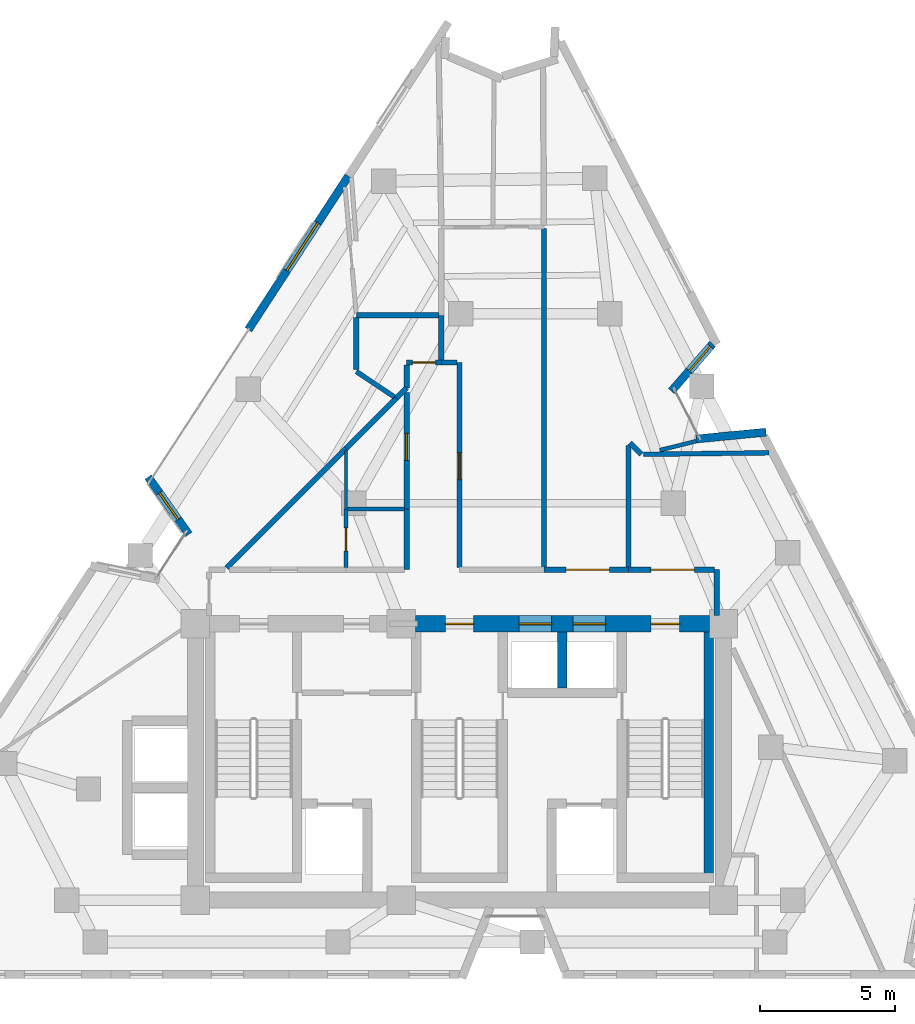
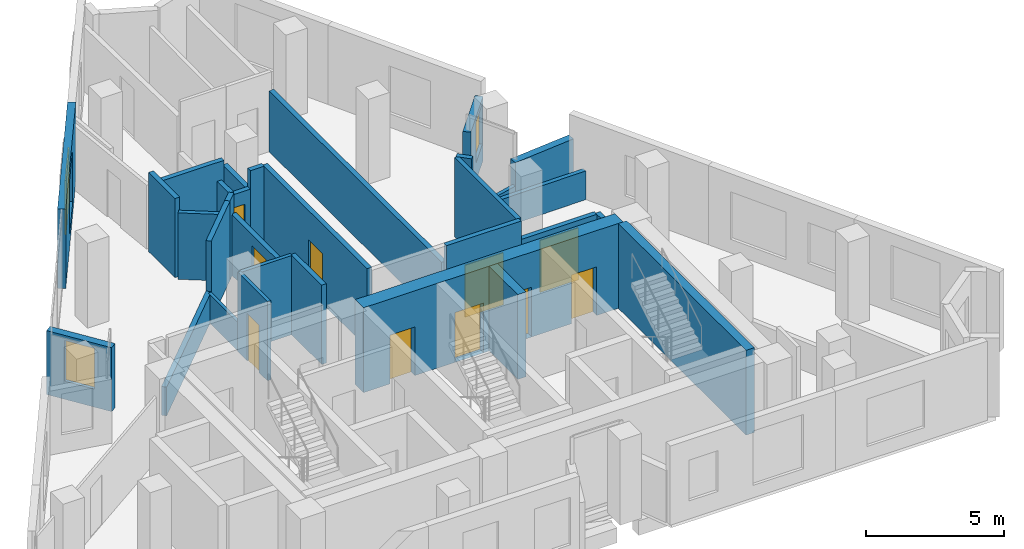
# One storey, part 6 of 9: 31 walls, 10 doors, 3 windows, 13 openings.
"""IFC4 building model written with IfcOpenShell, lengths in metres."""

from ifc_helpers import new_model, si_unit, direction, frame, frame_2d, origin, place, context, subcontext, project, spatial, rectangle, extrude, material, layer, layer_set, type_object, element, fill, save


model = new_model("IFC4")

# Units and contexts
model_context = context("Model", 3, precision=1e-05, world=origin(), true_north=direction((0.0, 1.0)))
body_context = subcontext(model_context, "Body", "Model", "MODEL_VIEW")
ifc_project = project(units=[si_unit("LENGTHUNIT", "METRE"), si_unit("AREAUNIT", "SQUARE_METRE"), si_unit("VOLUMEUNIT", "CUBIC_METRE"), si_unit("PLANEANGLEUNIT", "RADIAN"), si_unit("MASSUNIT", "GRAM", prefix="KILO")], contexts=[model_context])

# Site, building, storey
site_placement = place(None, origin())
site = spatial("IfcSite", under=ifc_project, at=site_placement, CompositionType="ELEMENT")
building_placement = place(site_placement, origin())
building = spatial("IfcBuilding", under=site, at=building_placement, Name="Almagre Mirador Tower", CompositionType="ELEMENT")
storey_placement = place(building_placement, frame((0.0, 0.0, 225.75)))
storey = spatial("IfcBuildingStorey", under=building, at=storey_placement, Name="L58", CompositionType="ELEMENT", Elevation=225.75)

# Wall, opening, window
ifc_material_1 = material(Name="Precast concrete C50/60", Category="concrete")
ifc_layer_1 = layer(ifc_material_1, 0.300048828125)
ifc_layer_set_1 = layer_set([ifc_layer_1], Name="Precast concrete C50/60")
wall_type_1 = type_object("IfcWallType", Name="WAL-EXT-300", PredefinedType="SOLIDWALL", material=ifc_layer_set_1)
wall_1_placement = place(storey_placement, frame((27.3017578125, 18.052490234375, 0.0), z_axis=(0.0, 0.0, 1.0), x_axis=(-0.576912262752, 0.816806122092, 0.0)))
wall_1 = element("IfcWall", 1, at=wall_1_placement, inside=storey, type_object=wall_type_1, Name="L58 expressed almagre precast frame wall 02", PredefinedType="SOLIDWALL", context=body_context, shape_type="SweptSolid", body=[
    extrude(rectangle(XDim=2.59423828125, YDim=0.300048828125, at=frame_2d((1.297119140625, 0.0))), origin(), (0.0, 0.0, 1.0), 2.824951171875),
])
opening_1_placement = place(wall_1_placement, frame((0.675048828125, 0.0, 0.800048828125)))
opening_1 = element("IfcOpeningElement", 2, at=opening_1_placement, cuts=wall_1, Name="Opening WN-04", PredefinedType="OPENING", context=body_context, shape_type="SweptSolid", body=[
    extrude(rectangle(XDim=1.199951171875, YDim=1.800048828125, at=frame_2d((0.60009765625, 0.89990234375))), frame((0.0, 0.159902, 0.0), z_axis=(0.0, -1.0, 0.0), x_axis=(1.0, 0.0, 0.0)), (0.0, 0.0, 1.0), 0.320049),
])
ifc_material_2 = material(Name="Dark solar-control laminated hurricane glass", Category="glass")
window_type_1 = type_object("IfcWindowType", Name="WIN-1200X1800", PartitioningType="SINGLE_PANEL", PredefinedType="WINDOW", material=ifc_material_2)
window_1_placement = place(opening_1_placement, origin())
window_1 = element("IfcWindow", 3, at=window_1_placement, inside=storey, type_object=window_type_1, Name="L58 recessed hurricane window L58-RST-F", OverallHeight=1.800048828125, OverallWidth=1.199951171875, PartitioningType="SINGLE_PANEL", PredefinedType="WINDOW", context=body_context, shape_type="SweptSolid", body=[
    extrude(rectangle(XDim=1.199951171875, YDim=1.800048828125, at=frame_2d((0.60009765625, 0.89990234375))), frame((0.0, 0.030029296875, 0.0), z_axis=(0.0, -1.0, 0.0), x_axis=(1.0, 0.0, 0.0)), (0.0, 0.0, 1.0), 0.06005859375),
])
fill(opening_1, window_1)

wall_2_placement = place(storey_placement, frame((29.50439453125, 25.614990234375, 0.0), z_axis=(0.0, 0.0, 1.0), x_axis=(0.545640788954, 0.838019170085, 0.0)))
wall_2 = element("IfcWall", 4, at=wall_2_placement, inside=storey, type_object=wall_type_1, Name="L58 expressed almagre precast frame wall 03", PredefinedType="SOLIDWALL", context=body_context, shape_type="SweptSolid", body=[
    extrude(rectangle(XDim=6.77197265625, YDim=0.300048828125, at=frame_2d((3.385986328125, 0.0))), origin(), (0.0, 0.0, 1.0), 3.5),
])
opening_2_placement = place(wall_2_placement, frame((2.60009765625, 0.0, 0.550048828125)))
opening_2 = element("IfcOpeningElement", 5, at=opening_2_placement, cuts=wall_2, Name="Opening WN-05", PredefinedType="OPENING", context=body_context, shape_type="SweptSolid", body=[
    extrude(rectangle(XDim=2.10009765625, YDim=2.39990234375, at=frame_2d((1.050048828125, 1.199951171875))), frame((0.0, 0.159902, 0.0), z_axis=(0.0, -1.0, 0.0), x_axis=(1.0, 0.0, 0.0)), (0.0, 0.0, 1.0), 0.320049),
])
ifc_material_3 = material(Name="Dark solar-control laminated hurricane glass", Category="glass")
window_type_2 = type_object("IfcWindowType", Name="WIN-2100X2400", PartitioningType="DOUBLE_PANEL_VERTICAL", PredefinedType="WINDOW", material=ifc_material_3)
window_2_placement = place(opening_2_placement, origin())
window_2 = element("IfcWindow", 6, at=window_2_placement, inside=storey, type_object=window_type_2, Name="L58 recessed hurricane window L58-UL-BT", OverallHeight=2.39990234375, OverallWidth=2.10009765625, PartitioningType="SINGLE_PANEL", PredefinedType="WINDOW", context=body_context, shape_type="SweptSolid", body=[
    extrude(rectangle(XDim=2.10009765625, YDim=2.39990234375, at=frame_2d((1.050048828125, 1.199951171875))), frame((0.0, 0.030029296875, 0.0), z_axis=(0.0, -1.0, 0.0), x_axis=(1.0, 0.0, 0.0)), (0.0, 0.0, 1.0), 0.06005859375),
])
fill(opening_2, window_2)

wall_3_placement = place(storey_placement, frame((46.647216796875, 25.08642578125, 0.0), z_axis=(0.0, 0.0, 1.0), x_axis=(-0.656860073981, -0.754012495394, 0.0)))
wall_3 = element("IfcWall", 7, at=wall_3_placement, inside=storey, type_object=wall_type_1, Name="L58 expressed almagre precast frame wall 11", PredefinedType="SOLIDWALL", context=body_context, shape_type="SweptSolid", body=[
    extrude(rectangle(XDim=2.314453125, YDim=0.300048828125, at=frame_2d((1.1572265625, 0.0))), origin(), (0.0, 0.0, 1.0), 2.824951171875),
])
opening_3_placement = place(wall_3_placement, frame((0.1201171875, 0.0, 0.800048828125)))
opening_3 = element("IfcOpeningElement", 8, at=opening_3_placement, cuts=wall_3, Name="Opening WN-04", PredefinedType="OPENING", context=body_context, shape_type="SweptSolid", body=[
    extrude(rectangle(XDim=1.199951171875, YDim=1.800048828125, at=frame_2d((0.60009765625, 0.89990234375))), frame((0.0, 0.159902, 0.0), z_axis=(0.0, -1.0, 0.0), x_axis=(1.0, 0.0, 0.0)), (0.0, 0.0, 1.0), 0.320049),
])
window_3_placement = place(opening_3_placement, origin())
window_3 = element("IfcWindow", 9, at=window_3_placement, inside=storey, type_object=window_type_1, Name="L58 recessed hurricane window L58-UK-ST", OverallHeight=1.800048828125, OverallWidth=1.199951171875, PartitioningType="SINGLE_PANEL", PredefinedType="WINDOW", context=body_context, shape_type="SweptSolid", body=[
    extrude(rectangle(XDim=1.199951171875, YDim=1.800048828125, at=frame_2d((0.60009765625, 0.89990234375))), frame((0.0, 0.030029296875, 0.0), z_axis=(0.0, -1.0, 0.0), x_axis=(1.0, 0.0, 0.0)), (0.0, 0.0, 1.0), 0.06005859375),
])
fill(opening_3, window_3)

# Walls
wall_4_placement = place(storey_placement, frame((46.03759765625, 21.575439453125, 0.0), z_axis=(0.0, 0.0, 1.0), x_axis=(0.995262869225, 0.097220476965, 0.0)))
element("IfcWall", 10, at=wall_4_placement, inside=storey, type_object=wall_type_1, Name="L58 expressed almagre precast frame wall 12", PredefinedType="SOLIDWALL", context=body_context, shape_type="SweptSolid", body=[
    extrude(rectangle(XDim=2.593994140625, YDim=0.300048828125, at=frame_2d((1.296875, 0.0))), origin(), (0.0, 0.0, 1.0), 2.300048828125),
])
ifc_material_4 = material(Name="Gypsum acoustic stud partition", Category="other")
ifc_layer_2 = layer(ifc_material_4, 0.125)
ifc_layer_set_2 = layer_set([ifc_layer_2], Name="Gypsum acoustic stud partition")
wall_type_2 = type_object("IfcWallType", Name="WAL-PRT-125-UTL", PredefinedType="PARTITIONING", material=ifc_layer_set_2)
wall_5_placement = place(storey_placement, frame((33.110107421875, 18.989990234375, 0.0), z_axis=(0.0, 0.0, 1.0), x_axis=(0.0, 1.0, 0.0)))
element("IfcWall", 11, at=wall_5_placement, inside=storey, type_object=wall_type_2, Name="L58 interior partition 042", PredefinedType="PARTITIONING", context=body_context, shape_type="SweptSolid", body=[
    extrude(rectangle(XDim=2.14501953125, YDim=0.125, at=frame_2d((1.072509765625, 0.0))), origin(), (0.0, 0.0, 1.0), 1.27001953125),
])

# Wall, opening, door
ifc_material_5 = material(Name="Gypsum acoustic stud partition", Category="other")
ifc_layer_3 = layer(ifc_material_5, 0.14990234375)
ifc_layer_set_3 = layer_set([ifc_layer_3], Name="Gypsum acoustic stud partition")
wall_type_3 = type_object("IfcWallType", Name="WAL-PRT-150-STD", PredefinedType="PARTITIONING", material=ifc_layer_set_3)
wall_6_placement = place(storey_placement, frame((33.110107421875, 16.8349609375, 0.0), z_axis=(0.0, 0.0, 1.0), x_axis=(0.0, 1.0, 0.0)))
wall_6 = element("IfcWall", 12, at=wall_6_placement, inside=storey, type_object=wall_type_3, Name="L58 interior partition 041", PredefinedType="PARTITIONING", context=body_context, shape_type="SweptSolid", body=[
    extrude(rectangle(XDim=2.155029296875, YDim=0.14990234375, at=frame_2d((1.07763671875, 0.0))), origin(), (0.0, 0.0, 1.0), 3.5),
])
opening_4_placement = place(wall_6_placement, frame((0.610107421875, 0.0, 0.0)))
opening_4 = element("IfcOpeningElement", 13, at=opening_4_placement, cuts=wall_6, Name="Opening UD-04", PredefinedType="OPENING", context=body_context, shape_type="SweptSolid", body=[
    extrude(rectangle(XDim=0.85009765625, YDim=2.10009765625, at=frame_2d((0.425048828125, 1.050048828125))), frame((0.0, 0.084951, 0.0), z_axis=(0.0, -1.0, 0.0), x_axis=(1.0, 0.0, 0.0)), (0.0, 0.0, 1.0), 0.169902),
])
ifc_material_6 = material(Name="Moisture-resistant oak timber", Category="wood")
door_type_1 = type_object("IfcDoorType", Name="DOR-UNR-850X2100", OperationType="NOTDEFINED", PredefinedType="DOOR", material=ifc_material_6)
door_1_placement = place(opening_4_placement, origin())
door_1 = element("IfcDoor", 14, at=door_1_placement, inside=storey, type_object=door_type_1, Name="DR-1789 L58 interior door L58-UG-ST to L58-UG-BT", OperationType="SINGLE_SWING_LEFT", OverallHeight=2.10009765625, OverallWidth=0.85009765625, PredefinedType="DOOR", context=body_context, shape_type="SweptSolid", body=[
    extrude(rectangle(XDim=0.85009765625, YDim=2.10009765625, at=frame_2d((0.425048828125, 1.050048828125))), frame((0.0, 0.02490234375, 0.0), z_axis=(0.0, -1.0, 0.0), x_axis=(1.0, 0.0, 0.0)), (0.0, 0.0, 1.0), 0.050048828125),
])
fill(opening_4, door_1)

# Walls
wall_7_placement = place(storey_placement, frame((35.264892578125, 18.989990234375, 0.0), z_axis=(0.0, 0.0, 1.0), x_axis=(-1.0, 0.0, 0.0)))
element("IfcWall", 15, at=wall_7_placement, inside=storey, type_object=wall_type_3, Name="L58 interior partition 043", PredefinedType="PARTITIONING", context=body_context, shape_type="SweptSolid", body=[
    extrude(rectangle(XDim=2.094970703125, YDim=0.14990234375, at=frame_2d((1.04736328125, 0.0))), origin(), (0.0, 0.0, 1.0), 3.5),
])
wall_8_placement = place(storey_placement, frame((44.699951171875, 21.1630859375, 0.0), z_axis=(0.0, 0.0, 1.0), x_axis=(0.970565605562, 0.240836885255, 0.0)))
element("IfcWall", 16, at=wall_8_placement, inside=storey, type_object=wall_type_3, Name="L58 interior partition 054", PredefinedType="PARTITIONING", context=body_context, shape_type="SweptSolid", body=[
    extrude(rectangle(XDim=1.38671875, YDim=0.14990234375, at=frame_2d((0.693359375, 0.0))), origin(), (0.0, 0.0, 1.0), 1.27001953125),
])
ifc_material_7 = material(Name="Gypsum acoustic stud partition", Category="other")
ifc_layer_4 = layer(ifc_material_7, 0.175048828125)
ifc_layer_set_4 = layer_set([ifc_layer_4], Name="Gypsum acoustic stud partition")
wall_type_4 = type_object("IfcWallType", Name="WAL-PRT-175-AC", PredefinedType="PARTITIONING", material=ifc_layer_set_4)
wall_9_placement = place(storey_placement, frame((43.5400390625, 21.330078125, 0.0), z_axis=(0.0, 0.0, 1.0), x_axis=(0.0, -1.0, 0.0)))
element("IfcWall", 17, at=wall_9_placement, inside=storey, type_object=wall_type_4, Name="L58 interior partition 033", PredefinedType="PARTITIONING", context=body_context, shape_type="SweptSolid", body=[
    extrude(rectangle(XDim=4.4951171875, YDim=0.175048828125, at=frame_2d((2.24755859375, 0.0))), origin(), (0.0, 0.0, 1.0), 3.5),
])
wall_10_placement = place(storey_placement, frame((34.8994140625, 23.127197265625, 0.0), z_axis=(0.0, 0.0, 1.0), x_axis=(-0.8311632377, 0.556028481551, 0.0)))
element("IfcWall", 18, at=wall_10_placement, inside=storey, type_object=wall_type_4, Name="L58 interior partition 039", PredefinedType="PARTITIONING", context=body_context, shape_type="SweptSolid", body=[
    extrude(rectangle(XDim=1.69580078125, YDim=0.175048828125, at=frame_2d((0.847900390625, 0.0))), origin(), (0.0, 0.0, 1.0), 2.93701171875),
])
wall_11_placement = place(storey_placement, frame((48.73388671875, 21.06494140625, 0.0), z_axis=(0.0, 0.0, 1.0), x_axis=(-0.999931137632, -0.011735416225, 0.0)))
element("IfcWall", 19, at=wall_11_placement, inside=storey, type_object=wall_type_4, Name="L58 interior partition 060", PredefinedType="PARTITIONING", context=body_context, shape_type="SweptSolid", body=[
    extrude(rectangle(XDim=4.63916015625, YDim=0.175048828125, at=frame_2d((2.319580078125, 0.0))), origin(), (0.0, 0.0, 1.0), 1.27001953125),
])
ifc_material_8 = material(Name="Gypsum acoustic stud partition", Category="other")
ifc_layer_5 = layer(ifc_material_8, 0.199951171875)
ifc_layer_set_5 = layer_set([ifc_layer_5], Name="Gypsum acoustic stud partition")
wall_type_5 = type_object("IfcWallType", Name="WAL-PRT-200-EI60", PredefinedType="PARTITIONING", material=ifc_layer_set_5)
wall_12_placement = place(storey_placement, frame((46.800048828125, 15.050048828125, 0.0), z_axis=(0.0, 0.0, 1.0), x_axis=(0.0, 1.0, 0.0)))
element("IfcWall", 20, at=wall_12_placement, inside=storey, type_object=wall_type_5, Name="L58 interior partition 001", PredefinedType="PARTITIONING", context=body_context, shape_type="SweptSolid", body=[
    extrude(rectangle(XDim=1.699951171875, YDim=0.199951171875, at=frame_2d((0.85009765625, 0.0))), origin(), (0.0, 0.0, 1.0), 2.68505859375),
])

# Wall, opening, door
wall_13_placement = place(storey_placement, frame((46.715087890625, 16.75, 0.0), z_axis=(0.0, 0.0, 1.0), x_axis=(-1.0, 0.0, 0.0)))
wall_13 = element("IfcWall", 21, at=wall_13_placement, inside=storey, type_object=wall_type_5, Name="L58 interior partition 002", PredefinedType="PARTITIONING", context=body_context, shape_type="SweptSolid", body=[
    extrude(rectangle(XDim=3.175048828125, YDim=0.199951171875, at=frame_2d((1.58740234375, 0.0))), origin(), (0.0, 0.0, 1.0), 2.68505859375),
])
opening_5_placement = place(wall_13_placement, frame((0.7451171875, 0.0, 0.0)))
opening_5 = element("IfcOpeningElement", 22, at=opening_5_placement, cuts=wall_13, Name="Opening ID-05", PredefinedType="OPENING", context=body_context, shape_type="SweptSolid", body=[
    extrude(rectangle(XDim=1.60009765625, YDim=2.300048828125, at=frame_2d((0.800048828125, 1.14990234375))), frame((0.0, 0.110098, 0.0), z_axis=(0.0, -1.0, 0.0), x_axis=(1.0, 0.0, 0.0)), (0.0, 0.0, 1.0), 0.219951),
])
ifc_material_9 = material(Name="Fire-rated acoustic timber", Category="wood")
door_type_2 = type_object("IfcDoorType", Name="DOR-FD60-1600X2300", OperationType="DOUBLE_DOOR_SINGLE_SWING", PredefinedType="DOOR", material=ifc_material_9)
door_2_placement = place(opening_5_placement, origin())
door_2 = element("IfcDoor", 23, at=door_2_placement, inside=storey, type_object=door_type_2, Name="DR-1784 L58 interior door L58-RCOR to L58-RST-E", OperationType="DOUBLE_DOOR_SINGLE_SWING", OverallHeight=2.300048828125, OverallWidth=1.60009765625, PredefinedType="DOOR", context=body_context, shape_type="SweptSolid", body=[
    extrude(rectangle(XDim=1.60009765625, YDim=2.300048828125, at=frame_2d((0.800048828125, 1.14990234375))), frame((0.0, 0.02490234375, 0.0), z_axis=(0.0, -1.0, 0.0), x_axis=(1.0, 0.0, 0.0)), (0.0, 0.0, 1.0), 0.050048828125),
])
fill(opening_5, door_2)

# Wall
wall_14_placement = place(storey_placement, frame((35.35009765625, 18.989990234375, 0.0), z_axis=(0.0, 0.0, 1.0), x_axis=(0.0, -1.0, 0.0)))
element("IfcWall", 24, at=wall_14_placement, inside=storey, type_object=wall_type_5, Name="L58 interior partition 006", PredefinedType="PARTITIONING", context=body_context, shape_type="SweptSolid", body=[
    extrude(rectangle(XDim=2.239990234375, YDim=0.199951171875, at=frame_2d((1.1201171875, 0.0))), origin(), (0.0, 0.0, 1.0), 3.5),
])

# Wall, opening, door
wall_15_placement = place(storey_placement, frame((35.35009765625, 23.300048828125, 0.0), z_axis=(0.0, 0.0, 1.0), x_axis=(0.0, -1.0, 0.0)))
wall_15 = element("IfcWall", 25, at=wall_15_placement, inside=storey, type_object=wall_type_5, Name="L58 interior partition 008", PredefinedType="PARTITIONING", context=body_context, shape_type="SweptSolid", body=[
    extrude(rectangle(XDim=4.31005859375, YDim=0.199951171875, at=frame_2d((2.155029296875, 0.0))), origin(), (0.0, 0.0, 1.0), 2.68505859375),
])
opening_6_placement = place(wall_15_placement, frame((1.515869140625, 0.0, 0.0)))
opening_6 = element("IfcOpeningElement", 26, at=opening_6_placement, cuts=wall_15, Name="Opening ID-01", PredefinedType="OPENING", context=body_context, shape_type="SweptSolid", body=[
    extrude(rectangle(XDim=1.0, YDim=2.199951171875, at=frame_2d((0.5, 1.10009765625))), frame((0.0, 0.110098, 0.0), z_axis=(0.0, -1.0, 0.0), x_axis=(1.0, 0.0, 0.0)), (0.0, 0.0, 1.0), 0.219951),
])
ifc_material_10 = material(Name="Fire-rated walnut timber", Category="wood")
door_type_3 = type_object("IfcDoorType", Name="DOR-FD60-1000X2200", OperationType="NOTDEFINED", PredefinedType="DOOR", material=ifc_material_10)
door_3_placement = place(opening_6_placement, origin())
door_3 = element("IfcDoor", 27, at=door_3_placement, inside=storey, type_object=door_type_3, Name="DR-1796 L58 interior door L58-RCOR to L58-UG-KT", OperationType="SINGLE_SWING_RIGHT", OverallHeight=2.199951171875, OverallWidth=1.0, PredefinedType="DOOR", context=body_context, shape_type="SweptSolid", body=[
    extrude(rectangle(XDim=1.0, YDim=2.199951171875, at=frame_2d((0.5, 1.10009765625))), frame((0.0, 0.02490234375, 0.0), z_axis=(0.0, -1.0, 0.0), x_axis=(1.0, 0.0, 0.0)), (0.0, 0.0, 1.0), 0.050048828125),
])
fill(opening_6, door_3)

wall_16_placement = place(storey_placement, frame((37.300048828125, 16.8349609375, 0.0), z_axis=(0.0, 0.0, 1.0), x_axis=(0.0, 1.0, 0.0)))
wall_16 = element("IfcWall", 28, at=wall_16_placement, inside=storey, type_object=wall_type_5, Name="L58 interior partition 010", PredefinedType="PARTITIONING", context=body_context, shape_type="SweptSolid", body=[
    extrude(rectangle(XDim=7.56494140625, YDim=0.199951171875, at=frame_2d((3.782470703125, 0.0))), origin(), (0.0, 0.0, 1.0), 3.5),
])
opening_7_placement = place(wall_16_placement, frame((3.239990234375, 0.0, 0.0)))
opening_7 = element("IfcOpeningElement", 29, at=opening_7_placement, cuts=wall_16, Name="Opening ID-01", PredefinedType="OPENING", context=body_context, shape_type="SweptSolid", body=[
    extrude(rectangle(XDim=1.0, YDim=2.199951171875, at=frame_2d((0.5, 1.10009765625))), frame((0.0, 0.110098, 0.0), z_axis=(0.0, -1.0, 0.0), x_axis=(1.0, 0.0, 0.0)), (0.0, 0.0, 1.0), 0.219951),
])
door_4_placement = place(opening_7_placement, origin())
door_4 = element("IfcDoor", 30, at=door_4_placement, inside=storey, type_object=door_type_3, Name="DR-1790 L58 interior door L58-RCOR to L58-UH-ST", OperationType="SINGLE_SWING_RIGHT", OverallHeight=2.199951171875, OverallWidth=1.0, PredefinedType="DOOR", context=body_context, shape_type="SweptSolid", body=[
    extrude(rectangle(XDim=1.0, YDim=2.199951171875, at=frame_2d((0.5, 1.10009765625))), frame((0.0, 0.02490234375, 0.0), z_axis=(0.0, -1.0, 0.0), x_axis=(1.0, 0.0, 0.0)), (0.0, 0.0, 1.0), 0.050048828125),
])
fill(opening_7, door_4)

# Wall
wall_17_placement = place(storey_placement, frame((37.215087890625, 24.39990234375, 0.0), z_axis=(0.0, 0.0, 1.0), x_axis=(-1.0, 0.0, 0.0)))
element("IfcWall", 31, at=wall_17_placement, inside=storey, type_object=wall_type_5, Name="L58 interior partition 011", PredefinedType="PARTITIONING", context=body_context, shape_type="SweptSolid", body=[
    extrude(rectangle(XDim=0.585205078125, YDim=0.199951171875, at=frame_2d((0.29248046875, 0.0))), origin(), (0.0, 0.0, 1.0), 3.5),
])

# Wall, opening, door
wall_18_placement = place(storey_placement, frame((43.5400390625, 16.75, 0.0), z_axis=(0.0, 0.0, 1.0), x_axis=(-1.0, 0.0, 0.0)))
wall_18 = element("IfcWall", 32, at=wall_18_placement, inside=storey, type_object=wall_type_5, Name="L58 interior partition 012", PredefinedType="PARTITIONING", context=body_context, shape_type="SweptSolid", body=[
    extrude(rectangle(XDim=3.1201171875, YDim=0.199951171875, at=frame_2d((1.56005859375, 0.0))), origin(), (0.0, 0.0, 1.0), 3.5),
])
opening_8_placement = place(wall_18_placement, frame((0.70361328125, 0.0, 0.0)))
opening_8 = element("IfcOpeningElement", 33, at=opening_8_placement, cuts=wall_18, Name="Opening ID-05", PredefinedType="OPENING", context=body_context, shape_type="SweptSolid", body=[
    extrude(rectangle(XDim=1.60009765625, YDim=2.300048828125, at=frame_2d((0.800048828125, 1.14990234375))), frame((0.0, 0.110098, 0.0), z_axis=(0.0, -1.0, 0.0), x_axis=(1.0, 0.0, 0.0)), (0.0, 0.0, 1.0), 0.219951),
])
door_5_placement = place(opening_8_placement, origin())
door_5 = element("IfcDoor", 34, at=door_5_placement, inside=storey, type_object=door_type_2, Name="DR-1786 L58 interior door L58-RCOR to L58-RST-J", OperationType="DOUBLE_DOOR_SINGLE_SWING", OverallHeight=2.300048828125, OverallWidth=1.60009765625, PredefinedType="DOOR", context=body_context, shape_type="SweptSolid", body=[
    extrude(rectangle(XDim=1.60009765625, YDim=2.300048828125, at=frame_2d((0.800048828125, 1.14990234375))), frame((0.0, 0.02490234375, 0.0), z_axis=(0.0, -1.0, 0.0), x_axis=(1.0, 0.0, 0.0)), (0.0, 0.0, 1.0), 0.050048828125),
])
fill(opening_8, door_5)

wall_19_placement = place(storey_placement, frame((36.6298828125, 24.39990234375, 0.0), z_axis=(0.0, 0.0, 1.0), x_axis=(-1.0, 0.0, 0.0)))
wall_19 = element("IfcWall", 35, at=wall_19_placement, inside=storey, type_object=wall_type_5, Name="L58 interior partition 013", PredefinedType="PARTITIONING", context=body_context, shape_type="SweptSolid", body=[
    extrude(rectangle(XDim=1.27978515625, YDim=0.199951171875, at=frame_2d((0.639892578125, 0.0))), origin(), (0.0, 0.0, 1.0), 2.68505859375),
])
opening_9_placement = place(wall_19_placement, frame((0.215087890625, 0.0, 0.0)))
opening_9 = element("IfcOpeningElement", 36, at=opening_9_placement, cuts=wall_19, Name="Opening ID-06", PredefinedType="OPENING", context=body_context, shape_type="SweptSolid", body=[
    extrude(rectangle(XDim=0.85009765625, YDim=2.10009765625, at=frame_2d((0.425048828125, 1.050048828125))), frame((0.0, 0.110098, 0.0), z_axis=(0.0, -1.0, 0.0), x_axis=(1.0, 0.0, 0.0)), (0.0, 0.0, 1.0), 0.219951),
])
ifc_material_11 = material(Name="Fire-rated hollow steel", Category="steel")
door_type_4 = type_object("IfcDoorType", Name="DOR-FD60-850X2100", OperationType="NOTDEFINED", PredefinedType="DOOR", material=ifc_material_11)
door_6_placement = place(opening_9_placement, origin())
door_6 = element("IfcDoor", 37, at=door_6_placement, inside=storey, type_object=door_type_4, Name="DR-1787 L58 interior door L58-RCOR to L58-UL-ST", OperationType="SINGLE_SWING_RIGHT", OverallHeight=2.10009765625, OverallWidth=0.85009765625, PredefinedType="DOOR", context=body_context, shape_type="SweptSolid", body=[
    extrude(rectangle(XDim=0.85009765625, YDim=2.10009765625, at=frame_2d((0.425048828125, 1.050048828125))), frame((0.0, 0.02490234375, 0.0), z_axis=(0.0, -1.0, 0.0), x_axis=(1.0, 0.0, 0.0)), (0.0, 0.0, 1.0), 0.050048828125),
])
fill(opening_9, door_6)

# Walls
wall_20_placement = place(storey_placement, frame((35.35009765625, 24.31494140625, 0.0), z_axis=(0.0, 0.0, 1.0), x_axis=(0.0, -1.0, 0.0)))
element("IfcWall", 38, at=wall_20_placement, inside=storey, type_object=wall_type_5, Name="L58 interior partition 014", PredefinedType="PARTITIONING", context=body_context, shape_type="SweptSolid", body=[
    extrude(rectangle(XDim=0.85498046875, YDim=0.199951171875, at=frame_2d((0.427490234375, 0.0))), origin(), (0.0, 0.0, 1.0), 3.5),
])
wall_21_placement = place(storey_placement, frame((44.010009765625, 21.010009765625, 0.0), z_axis=(0.0, 0.0, 1.0), x_axis=(-0.707106781187, 0.707106781187, 0.0)))
element("IfcWall", 39, at=wall_21_placement, inside=storey, type_object=wall_type_5, Name="L58 interior partition 034", PredefinedType="PARTITIONING", context=body_context, shape_type="SweptSolid", body=[
    extrude(rectangle(XDim=0.592041015625, YDim=0.199951171875, at=frame_2d((0.2958984375, 0.0))), origin(), (0.0, 0.0, 1.0), 3.5),
])
wall_22_placement = place(storey_placement, frame((28.7001953125, 16.81005859375, 0.0), z_axis=(0.0, 0.0, 1.0), x_axis=(0.707106781187, 0.707106781187, 0.0)))
element("IfcWall", 40, at=wall_22_placement, inside=storey, type_object=wall_type_5, Name="L58 interior partition 037", PredefinedType="PARTITIONING", context=body_context, shape_type="SweptSolid", body=[
    extrude(rectangle(XDim=6.236572265625, YDim=0.199951171875, at=frame_2d((3.1181640625, 0.0))), origin(), (0.0, 0.0, 1.0), 1.27001953125),
])
wall_23_placement = place(storey_placement, frame((33.110107421875, 21.219970703125, 0.0), z_axis=(0.0, 0.0, 1.0), x_axis=(0.707060372446, 0.707153186882, 0.0)))
element("IfcWall", 41, at=wall_23_placement, inside=storey, type_object=wall_type_5, Name="L58 interior partition 038", PredefinedType="PARTITIONING", context=body_context, shape_type="SweptSolid", body=[
    extrude(rectangle(XDim=2.63037109375, YDim=0.199951171875, at=frame_2d((1.315185546875, 0.0))), origin(), (0.0, 0.0, 1.0), 3.5),
])
wall_24_placement = place(storey_placement, frame((35.35009765625, 23.4599609375, 0.0), z_axis=(0.0, 0.0, 1.0), x_axis=(-0.707333891104, -0.706879598303, 0.0)))
element("IfcWall", 42, at=wall_24_placement, inside=storey, type_object=wall_type_5, Name="L58 interior partition 044", PredefinedType="PARTITIONING", context=body_context, shape_type="SweptSolid", body=[
    extrude(rectangle(XDim=0.537353515625, YDim=0.199951171875, at=frame_2d((0.2685546875, 0.0))), origin(), (0.0, 0.0, 1.0), 3.5),
])
wall_25_placement = place(storey_placement, frame((40.419921875, 16.8349609375, 0.0), z_axis=(0.0, 0.0, 1.0), x_axis=(0.0, 1.0, 0.0)))
element("IfcWall", 43, at=wall_25_placement, inside=storey, type_object=wall_type_5, Name="L58 interior partition 047", PredefinedType="PARTITIONING", context=body_context, shape_type="SweptSolid", body=[
    extrude(rectangle(XDim=12.505126953125, YDim=0.199951171875, at=frame_2d((6.25244140625, 0.0))), origin(), (0.0, 0.0, 1.0), 2.68505859375),
])
wall_26_placement = place(storey_placement, frame((36.6298828125, 26.139892578125, 0.0), z_axis=(0.0, 0.0, 1.0), x_axis=(0.0, -1.0, 0.0)))
element("IfcWall", 44, at=wall_26_placement, inside=storey, type_object=wall_type_5, Name="L58 interior partition 048", PredefinedType="PARTITIONING", context=body_context, shape_type="SweptSolid", body=[
    extrude(rectangle(XDim=1.65478515625, YDim=0.199951171875, at=frame_2d((0.827392578125, 0.0))), origin(), (0.0, 0.0, 1.0), 2.68505859375),
])
wall_27_placement = place(storey_placement, frame((36.544921875, 26.139892578125, 0.0), z_axis=(0.0, 0.0, 1.0), x_axis=(-1.0, 0.0, 0.0)))
element("IfcWall", 45, at=wall_27_placement, inside=storey, type_object=wall_type_5, Name="L58 interior partition 057", PredefinedType="PARTITIONING", context=body_context, shape_type="SweptSolid", body=[
    extrude(rectangle(XDim=3.054931640625, YDim=0.199951171875, at=frame_2d((1.52734375, 0.0))), origin(), (0.0, 0.0, 1.0), 2.93701171875),
])
wall_28_placement = place(storey_placement, frame((33.489990234375, 26.054931640625, 0.0), z_axis=(0.0, 0.0, 1.0), x_axis=(0.0, -1.0, 0.0)))
element("IfcWall", 46, at=wall_28_placement, inside=storey, type_object=wall_type_5, Name="L58 interior partition 058", PredefinedType="PARTITIONING", context=body_context, shape_type="SweptSolid", body=[
    extrude(rectangle(XDim=1.912353515625, YDim=0.199951171875, at=frame_2d((0.9560546875, 0.0))), origin(), (0.0, 0.0, 1.0), 3.5),
])
ifc_material_12 = material(Name="Concrete C60/75", Category="concrete")
ifc_layer_6 = layer(ifc_material_12, 0.35009765625)
ifc_layer_set_6 = layer_set([ifc_layer_6], Name="Concrete C60/75")
wall_type_6 = type_object("IfcWallType", Name="WAL-SHF-350", PredefinedType="SOLIDWALL", material=ifc_layer_set_6)
wall_29_placement = place(storey_placement, frame((46.5, 5.199951171875, 0.0), z_axis=(0.0, 0.0, 1.0), x_axis=(0.0, 1.0, 0.0)))
element("IfcWall", 47, at=wall_29_placement, inside=storey, type_object=wall_type_6, Name="L58 shaft wall ST3-E", PredefinedType="SOLIDWALL", context=body_context, shape_type="SweptSolid", body=[
    extrude(rectangle(XDim=9.25, YDim=0.35009765625, at=frame_2d((4.625, 0.0))), origin(), (0.0, 0.0, 1.0), 3.75),
])
wall_30_placement = place(storey_placement, frame((41.10009765625, 12.375, 0.0), z_axis=(0.0, 0.0, 1.0), x_axis=(0.0, 1.0, 0.0)))
element("IfcWall", 48, at=wall_30_placement, inside=storey, type_object=wall_type_6, Name="L58 shaft wall PLH-M", PredefinedType="SOLIDWALL", context=body_context, shape_type="SweptSolid", body=[
    extrude(rectangle(XDim=2.074951171875, YDim=0.35009765625, at=frame_2d((1.03759765625, 0.0))), origin(), (0.0, 0.0, 1.0), 3.75),
])

# Wall, openings, doors
ifc_material_13 = material(Name="Concrete C60/75", Category="concrete")
ifc_layer_7 = layer(ifc_material_13, 0.60009765625)
ifc_layer_set_7 = layer_set([ifc_layer_7], Name="Concrete C60/75")
wall_type_7 = type_object("IfcWallType", Name="WAL-SHR-600", PredefinedType="SHEAR", material=ifc_layer_set_7)
wall_31_placement = place(storey_placement, frame((35.675048828125, 14.75, 0.0), z_axis=(0.0, 0.0, 1.0), x_axis=(1.0, 0.0, 0.0)))
wall_31 = element("IfcWall", 49, at=wall_31_placement, inside=storey, type_object=wall_type_7, Name="L58 core shear wall N2", PredefinedType="SHEAR", context=body_context, shape_type="SweptSolid", body=[
    extrude(rectangle(XDim=10.849853515625, YDim=0.60009765625, at=frame_2d((5.4248046875, 0.0))), origin(), (0.0, 0.0, 1.0), 3.75),
])
opening_10_placement = place(wall_31_placement, frame((1.10009765625, 0.0, 0.0)))
opening_10 = element("IfcOpeningElement", 50, at=opening_10_placement, cuts=wall_31, Name="Opening SD-01", PredefinedType="OPENING", context=body_context, shape_type="SweptSolid", body=[
    extrude(rectangle(XDim=1.050048828125, YDim=2.14990234375, at=frame_2d((0.52490234375, 1.074951171875))), frame((0.0, 0.310049, 0.0), z_axis=(0.0, -1.0, 0.0), x_axis=(1.0, 0.0, 0.0)), (0.0, 0.0, 1.0), 0.620098),
])
opening_11_placement = place(wall_31_placement, frame((8.699951171875, 0.0, 0.0)))
opening_11 = element("IfcOpeningElement", 51, at=opening_11_placement, cuts=wall_31, Name="Opening SD-01", PredefinedType="OPENING", context=body_context, shape_type="SweptSolid", body=[
    extrude(rectangle(XDim=1.050048828125, YDim=2.14990234375, at=frame_2d((0.52490234375, 1.074951171875))), frame((0.0, 0.310049, 0.0), z_axis=(0.0, -1.0, 0.0), x_axis=(1.0, 0.0, 0.0)), (0.0, 0.0, 1.0), 0.620098),
])
opening_12_placement = place(wall_31_placement, frame((3.824951171875, 0.0, 0.0)))
opening_12 = element("IfcOpeningElement", 52, at=opening_12_placement, cuts=wall_31, Name="Opening LD-02", PredefinedType="OPENING", context=body_context, shape_type="SweptSolid", body=[
    extrude(rectangle(XDim=1.199951171875, YDim=2.199951171875, at=frame_2d((0.60009765625, 1.10009765625))), frame((0.0, 0.310049, 0.0), z_axis=(0.0, -1.0, 0.0), x_axis=(1.0, 0.0, 0.0)), (0.0, 0.0, 1.0), 0.620098),
])
opening_13_placement = place(wall_31_placement, frame((5.824951171875, 0.0, 0.0)))
opening_13 = element("IfcOpeningElement", 53, at=opening_13_placement, cuts=wall_31, Name="Opening LD-02", PredefinedType="OPENING", context=body_context, shape_type="SweptSolid", body=[
    extrude(rectangle(XDim=1.199951171875, YDim=2.199951171875, at=frame_2d((0.60009765625, 1.10009765625))), frame((0.0, 0.310049, 0.0), z_axis=(0.0, -1.0, 0.0), x_axis=(1.0, 0.0, 0.0)), (0.0, 0.0, 1.0), 0.620098),
])
ifc_material_14 = material(Name="Hollow stainless steel", Category="steel")
door_type_5 = type_object("IfcDoorType", Name="DOR-LD-1200X2200", OperationType="DOUBLE_DOOR_SLIDING", PredefinedType="DOOR", material=ifc_material_14)
door_7_placement = place(opening_12_placement, origin())
door_7 = element("IfcDoor", 54, at=door_7_placement, inside=storey, type_object=door_type_5, Name="DR-1799 L58 PL-H1 lift landing door", OperationType="DOUBLE_DOOR_SLIDING", OverallHeight=2.199951171875, OverallWidth=1.199951171875, PredefinedType="DOOR", context=body_context, shape_type="SweptSolid", body=[
    extrude(rectangle(XDim=1.199951171875, YDim=2.199951171875, at=frame_2d((0.60009765625, 1.10009765625))), frame((0.0, 0.02490234375, 0.0), z_axis=(0.0, -1.0, 0.0), x_axis=(1.0, 0.0, 0.0)), (0.0, 0.0, 1.0), 0.050048828125),
])
fill(opening_12, door_7)
door_8_placement = place(opening_13_placement, origin())
door_8 = element("IfcDoor", 55, at=door_8_placement, inside=storey, type_object=door_type_5, Name="DR-1800 L58 PL-H2 lift landing door", OperationType="DOUBLE_DOOR_SLIDING", OverallHeight=2.199951171875, OverallWidth=1.199951171875, PredefinedType="DOOR", context=body_context, shape_type="SweptSolid", body=[
    extrude(rectangle(XDim=1.199951171875, YDim=2.199951171875, at=frame_2d((0.60009765625, 1.10009765625))), frame((0.0, 0.02490234375, 0.0), z_axis=(0.0, -1.0, 0.0), x_axis=(1.0, 0.0, 0.0)), (0.0, 0.0, 1.0), 0.050048828125),
])
fill(opening_13, door_8)
ifc_material_15 = material(Name="Fire-rated hollow steel", Category="steel")
door_type_6 = type_object("IfcDoorType", Name="DOR-ST-1050X2150", OperationType="NOTDEFINED", PredefinedType="DOOR", material=ifc_material_15)
door_9_placement = place(opening_10_placement, origin())
door_9 = element("IfcDoor", 56, at=door_9_placement, inside=storey, type_object=door_type_6, Name="DR-1802 L58 protected exit stair ST-2 door", OperationType="SINGLE_SWING_RIGHT", OverallHeight=2.14990234375, OverallWidth=1.050048828125, PredefinedType="DOOR", context=body_context, shape_type="SweptSolid", body=[
    extrude(rectangle(XDim=1.050048828125, YDim=2.14990234375, at=frame_2d((0.52490234375, 1.074951171875))), frame((0.0, 0.02490234375, 0.0), z_axis=(0.0, -1.0, 0.0), x_axis=(1.0, 0.0, 0.0)), (0.0, 0.0, 1.0), 0.050048828125),
])
fill(opening_10, door_9)
door_10_placement = place(opening_11_placement, origin())
door_10 = element("IfcDoor", 57, at=door_10_placement, inside=storey, type_object=door_type_6, Name="DR-1803 L58 protected exit stair ST-3 door", OperationType="SINGLE_SWING_LEFT", OverallHeight=2.14990234375, OverallWidth=1.050048828125, PredefinedType="DOOR", context=body_context, shape_type="SweptSolid", body=[
    extrude(rectangle(XDim=1.050048828125, YDim=2.14990234375, at=frame_2d((0.52490234375, 1.074951171875))), frame((0.0, 0.02490234375, 0.0), z_axis=(0.0, -1.0, 0.0), x_axis=(1.0, 0.0, 0.0)), (0.0, 0.0, 1.0), 0.050048828125),
])
fill(opening_11, door_10)

save(model, "model.ifc")
